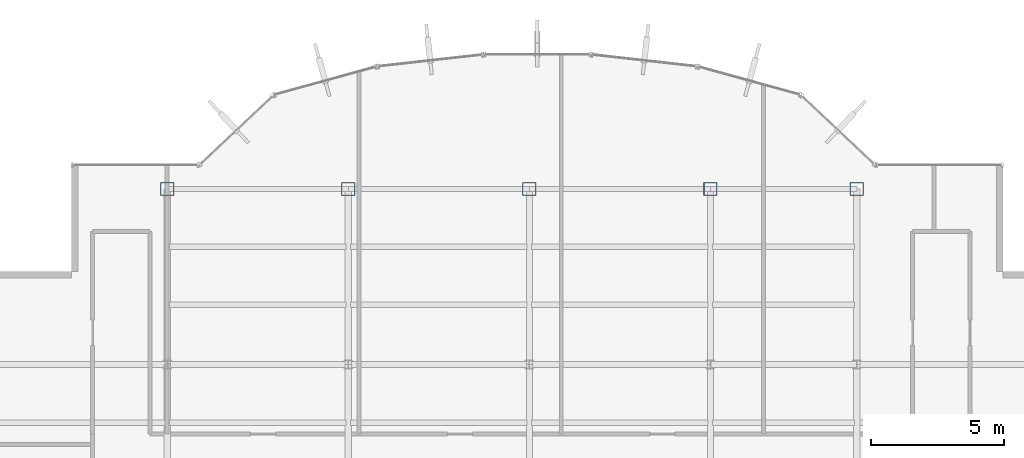
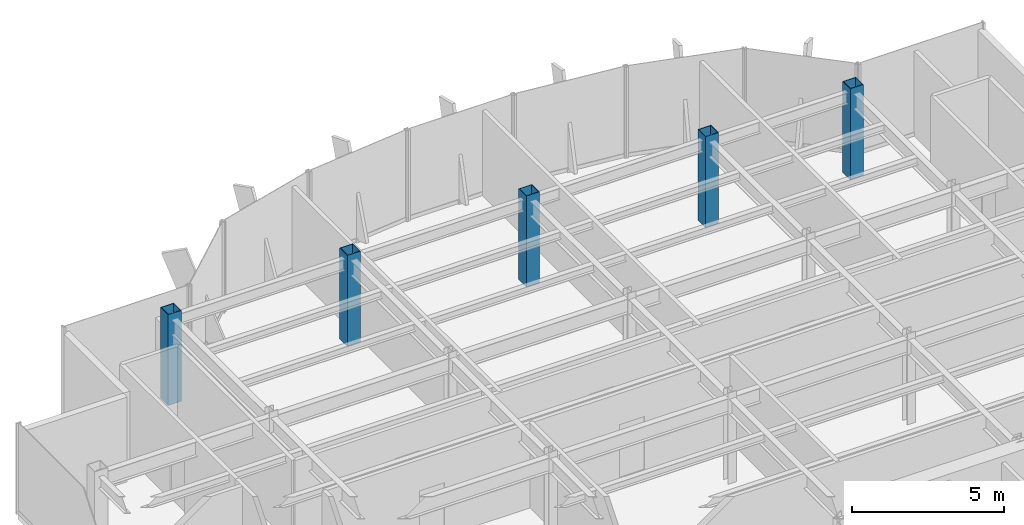
# One storey, part 2 of 22: 5 columns.
"""IFC4 building model written with IfcOpenShell, lengths in metres."""

import ifcopenshell
import ifcopenshell.guid

model = None  # the IFC model being written
_history = None  # IfcOwnerHistory: only IFC2X3 demands one
_inside = {}  # id of a spatial element -> (the spatial element, [elements in it])
_under = {}  # id of a project, library or spatial element -> (it, [spatial elements below it])
_declared = {}  # id of a project -> (the project, [libraries it declares])
_typed = {}  # id of a type object -> (the type object, [elements of that type])
_made_of = {}  # id of a material, layer set ... -> (it, [elements and type objects made of it])


def new_model(schema):
    """Start an empty IFC model of exactly this schema.

    Asked for "IFC4X3", IfcOpenShell would pick the latest addendum, in which some entities
    have other attributes; the version numbers below select the first issue.
    IFC2X3 requires an IfcOwnerHistory on every rooted entity: one is made here for all.
    """
    global model, _history
    if schema == "IFC4X3":
        model = ifcopenshell.file(schema_version=(4, 3, 0, 0))
    else:
        model = ifcopenshell.file(schema=schema)
    _inside.clear()
    _under.clear()
    _declared.clear()
    _typed.clear()
    _made_of.clear()
    _history = None
    if model.schema == "IFC2X3":
        org = make("IfcOrganization", Name="unknown")
        user = make(
            "IfcPersonAndOrganization",
            ThePerson=make("IfcPerson", FamilyName="unknown"),
            TheOrganization=org,
        )
        app = make(
            "IfcApplication",
            ApplicationDeveloper=org,
            Version="unknown",
            ApplicationFullName="unknown",
            ApplicationIdentifier="unknown",
        )
        _history = make(
            "IfcOwnerHistory",
            OwningUser=user,
            OwningApplication=app,
            ChangeAction="ADDED",
            CreationDate=0,
        )
    return model


def make(cls, **values):
    """One entity of the class cls with the attributes given. An attribute that is None is left unset."""
    return model.create_entity(
        cls, **{name: value for name, value in values.items() if value is not None}
    )


def rooted(cls, **values):
    """An entity with a GlobalId (a new one), such as an element, a storey or a relation."""
    return make(cls, GlobalId=ifcopenshell.guid.new(), OwnerHistory=_history, **values)


def si_unit(unit_type, name, prefix=None):
    """IfcSIUnit, for example si_unit("LENGTHUNIT", "METRE", prefix="MILLI")."""
    return make("IfcSIUnit", UnitType=unit_type, Prefix=prefix, Name=name)


def derived_unit(unit_type, elements):
    """IfcDerivedUnit: a product of units, each with its exponent."""
    return make(
        "IfcDerivedUnit",
        Elements=[
            make("IfcDerivedUnitElement", Unit=unit, Exponent=power)
            for unit, power in elements
        ],
        UnitType=unit_type,
    )


def assignment(units):
    """IfcUnitAssignment: the units of a project."""
    return None if units is None else make("IfcUnitAssignment", Units=units)


def point(xyz):
    """IfcCartesianPoint."""
    return None if xyz is None else make("IfcCartesianPoint", Coordinates=xyz)


def direction(xyz):
    """IfcDirection."""
    return None if xyz is None else make("IfcDirection", DirectionRatios=xyz)


def frame(location, z_axis=None, x_axis=None):
    """IfcAxis2Placement3D, a coordinate frame: its origin and axes. An axis left out is left unset."""
    return make(
        "IfcAxis2Placement3D",
        Location=point(location),
        Axis=direction(z_axis),
        RefDirection=direction(x_axis),
    )


def frame_2d(location, x_axis=None):
    """IfcAxis2Placement2D, a coordinate frame in the plane: its origin and x axis."""
    return make(
        "IfcAxis2Placement2D", Location=point(location), RefDirection=direction(x_axis)
    )


def origin():
    """The frame at (0, 0, 0) with its axes left unset."""
    return frame((0.0, 0.0, 0.0))


def origin_2d():
    """The frame at (0, 0) in the plane with its x axis left unset."""
    return frame_2d((0.0, 0.0))


def place(relative_to, where):
    """IfcLocalPlacement: puts the frame where relative to a parent placement (None: the world)."""
    return make(
        "IfcLocalPlacement", PlacementRelTo=relative_to, RelativePlacement=where
    )


def context(
    kind, dimensions, precision=None, world=None, true_north=None, identifier=None
):
    """IfcGeometricRepresentationContext, for example the 3D "Model" context."""
    return make(
        "IfcGeometricRepresentationContext",
        ContextIdentifier=identifier,
        ContextType=kind,
        CoordinateSpaceDimension=dimensions,
        Precision=precision,
        WorldCoordinateSystem=world,
        TrueNorth=true_north,
    )


def subcontext(parent, identifier, kind, view, scale=None):
    """IfcGeometricRepresentationSubContext, for example "Body" below "Model"."""
    return make(
        "IfcGeometricRepresentationSubContext",
        ContextIdentifier=identifier,
        ContextType=kind,
        ParentContext=parent,
        TargetScale=scale,
        TargetView=view,
    )


def project(units=None, contexts=None):
    """IfcProject with its units and contexts."""
    return rooted(
        "IfcProject",
        Name="project",
        RepresentationContexts=contexts,
        UnitsInContext=assignment(units),
    )


def spatial(cls, under=None, at=None, **own):
    """A site, building, storey or space (cls), placed at a placement, below another one or the project."""
    s = rooted(cls, ObjectPlacement=at, **own)
    if under is not None:
        _under.setdefault(under.id(), (under, []))[1].append(s)
    return s


def profile(cls, at=None, kind="AREA", **sizes):
    """A parametric profile (cls). Its sizes go by their IFC names, for example OverallWidth=200.0."""
    return make(cls, ProfileType=kind, Position=at, **sizes)


def hollow_rectangle(**sizes):
    """IfcRectangleHollowProfileDef."""
    return profile("IfcRectangleHollowProfileDef", **sizes)


def extrude(swept, where, along, depth):
    """IfcExtrudedAreaSolid: the profile swept, set in the frame where, extruded along a direction by depth."""
    return make(
        "IfcExtrudedAreaSolid",
        SweptArea=swept,
        Position=where,
        ExtrudedDirection=direction(along),
        Depth=depth,
    )


def shape(context_of_items, identifier, shape_type, items):
    """IfcShapeRepresentation: the items that make up one representation, for example the "Body"."""
    return make(
        "IfcShapeRepresentation",
        ContextOfItems=context_of_items,
        RepresentationIdentifier=identifier,
        RepresentationType=shape_type,
        Items=items,
    )


def source(mapping_origin, context_of_items, identifier, shape_type, items):
    """IfcRepresentationMap: a shape defined once, which mapped items show again and again."""
    return make(
        "IfcRepresentationMap",
        MappingOrigin=mapping_origin,
        MappedRepresentation=shape(context_of_items, identifier, shape_type, items),
    )


def transform(
    local_origin,
    x_axis=None,
    y_axis=None,
    z_axis=None,
    scale=None,
    scale2=None,
    scale3=None,
    uniform=True,
):
    """IfcCartesianTransformationOperator3D, or its non-uniform kind. x_axis, y_axis, z_axis: its Axis1, 2, 3."""
    if uniform:
        return make(
            "IfcCartesianTransformationOperator3D",
            Axis1=direction(x_axis),
            Axis2=direction(y_axis),
            LocalOrigin=point(local_origin),
            Scale=scale,
            Axis3=direction(z_axis),
        )
    return make(
        "IfcCartesianTransformationOperator3DnonUniform",
        Axis1=direction(x_axis),
        Axis2=direction(y_axis),
        LocalOrigin=point(local_origin),
        Scale=scale,
        Axis3=direction(z_axis),
        Scale2=scale2,
        Scale3=scale3,
    )


def mapped(mapping_source, mapping_target):
    """IfcMappedItem: shows the shape of a source again, moved by a transform."""
    return make(
        "IfcMappedItem", MappingSource=mapping_source, MappingTarget=mapping_target
    )


def material(Name=None, Category=None):
    """IfcMaterial."""
    return make("IfcMaterial", Name=Name, Category=Category)


def material_profile(
    of_material, cross_section, Name=None, Category=None, Priority=None
):
    """IfcMaterialProfile: a cross section and its material."""
    return make(
        "IfcMaterialProfile",
        Name=Name,
        Material=of_material,
        Profile=cross_section,
        Priority=Priority,
        Category=Category,
    )


def profile_set(profiles, Name=None, composite=None):
    """IfcMaterialProfileSet."""
    return make(
        "IfcMaterialProfileSet",
        Name=Name,
        MaterialProfiles=profiles,
        CompositeProfile=composite,
    )


def made_of(thing, what):
    """Note that an element or type object is made of a material, layer set ...; save() writes the relation."""
    if what is not None:
        _made_of.setdefault(what.id(), (what, []))[1].append(thing)
    return thing


def type_object(cls, material=None, **own):
    """A type object (cls), such as IfcWallType, which elements share."""
    return made_of(rooted(cls, **own), material)


def element(
    cls,
    number,
    at=None,
    inside=None,
    cuts=None,
    type_object=None,
    material=None,
    context=None,
    identifier="Body",
    shape_type=None,
    held_by="IfcProductDefinitionShape",
    body=None,
    shapes=None,
    **own,
):
    """One element of the class cls, such as IfcWall. Its Tag is "e" and its number.

    at: its placement. inside: the storey or other place that contains it. cuts: it is an
    opening in that element (IfcRelVoidsElement). A single representation is given by context,
    identifier, shape_type and body (its items); several are given by shapes. held_by: the class
    of the entity that holds the representations. save() writes the other relations.
    """
    e = rooted(cls, Tag="e%d" % number, ObjectPlacement=at, **own)
    if body is not None:
        shapes = [shape(context, identifier, shape_type, body)]
    if shapes is not None:
        e.Representation = make(held_by, Representations=shapes)
    if inside is not None:
        _inside.setdefault(inside.id(), (inside, []))[1].append(e)
    if cuts is not None:
        rooted(
            "IfcRelVoidsElement", RelatingBuildingElement=cuts, RelatedOpeningElement=e
        )
    if type_object is not None:
        _typed.setdefault(type_object.id(), (type_object, []))[1].append(e)
    return made_of(e, material)


def aggregate(whole, parts):
    """IfcRelAggregates: a whole, such as a stair, and the parts it consists of."""
    return rooted("IfcRelAggregates", RelatingObject=whole, RelatedObjects=parts)


def save(model, path):
    """Write the relations noted so far, then the file.

    IfcRelAggregates (storeys below a building ...), IfcRelContainedInSpatialStructure (elements
    in a storey), IfcRelDefinesByType, IfcRelAssociatesMaterial and IfcRelDeclares: one each for
    every whole, place, type object, material and project.
    """
    for whole, parts in _under.values():
        aggregate(whole, parts)
    for where, things in _inside.values():
        rooted(
            "IfcRelContainedInSpatialStructure",
            RelatedElements=things,
            RelatingStructure=where,
        )
    for kind, things in _typed.values():
        rooted("IfcRelDefinesByType", RelatedObjects=things, RelatingType=kind)
    for what, things in _made_of.values():
        rooted("IfcRelAssociatesMaterial", RelatedObjects=things, RelatingMaterial=what)
    for by, libraries in _declared.values():
        rooted("IfcRelDeclares", RelatingContext=by, RelatedDefinitions=libraries)
    model.write(path)


model = new_model("IFC4")

# Units and contexts
model_context = context("Model", 3, precision=1e-05, world=origin(), true_north=direction((0.0, 1.0)))
body_context = subcontext(model_context, "Body", "Model", "MODEL_VIEW")
ifc_project = project(units=[si_unit("LENGTHUNIT", "METRE"), si_unit("AREAUNIT", "SQUARE_METRE"), si_unit("VOLUMEUNIT", "CUBIC_METRE"), si_unit("PLANEANGLEUNIT", "RADIAN"), si_unit("MASSUNIT", "GRAM", prefix="KILO"), derived_unit("THERMALTRANSMITTANCEUNIT", [(si_unit("POWERUNIT", "WATT"), 1), (si_unit("LENGTHUNIT", "METRE"), -2), (si_unit("THERMODYNAMICTEMPERATUREUNIT", "KELVIN"), -1)])], contexts=[model_context])

# Site, building, storey
site_placement = place(None, origin())
site = spatial("IfcSite", under=ifc_project, at=site_placement, CompositionType="ELEMENT")
building_placement = place(site_placement, origin())
building = spatial("IfcBuilding", under=site, at=building_placement, Name="Skarnbrae Concourse Arena and Tower", CompositionType="ELEMENT")
storey_placement = place(building_placement, frame((0.0, 0.0, 273.39990234375)))
storey = spatial("IfcBuildingStorey", under=building, at=storey_placement, Name="L71", CompositionType="ELEMENT", Elevation=273.39990234375)

# Columns
ifc_material = material(Name="Steel CSA G40.21 350W", Category="steel")
ifc_material_profile = material_profile(ifc_material, hollow_rectangle(XDim=0.5, YDim=0.5, WallThickness=0.02197265625, at=origin_2d()), Name="HSS500X500X22.0")
ifc_profile_set = profile_set([ifc_material_profile], Name="Steel CSA G40.21 350W")
column_type = type_object("IfcColumnType", Name="COL-TUBE-HSS500", PredefinedType="COLUMN", material=ifc_profile_set)
shared_shape = source(origin(), body_context, "Body", "SweptSolid", [
    extrude(hollow_rectangle(XDim=0.5, YDim=0.5, WallThickness=0.02197265625, at=origin_2d()), origin(), (0.0, 0.0, 1.0), 3.650146484375),
])
for number, where, z_axis, x_axis, name in (
    (1, (7.60009765625, 34.39990234375, 0.0), (0.0, 0.0, 1.0), (1.0, 0.0, 0.0), "L71 Tower column PC_02_05"),
    (2, (14.39990234375, 34.39990234375, 0.0), (0.0, 0.0, 1.0), (1.0, 0.0, 0.0), "L71 Tower column PC_03_05"),
    (3, (21.199951171875, 34.39990234375, 0.0), (0.0, 0.0, 1.0), (1.0, 0.0, 0.0), "L71 Tower column PC_04_05"),
    (4, (28.0, 34.39990234375, 0.0), (0.0, 0.0, 1.0), (1.0, 0.0, 0.0), "L71 Tower column PC_05_05"),
    (5, (33.5, 34.39990234375, 0.0), (0.0, 0.0, 1.0), (1.0, 0.0, 0.0), "L71 Tower column PC_06_05"),
):
    element("IfcColumn", number, at=place(storey_placement, frame(where, z_axis=z_axis, x_axis=x_axis)), inside=storey, type_object=column_type, Name=name, PredefinedType="COLUMN", context=body_context, shape_type="MappedRepresentation", body=[
        mapped(shared_shape, transform((0.0, 0.0, 0.0))),
    ])

save(model, "model.ifc")
